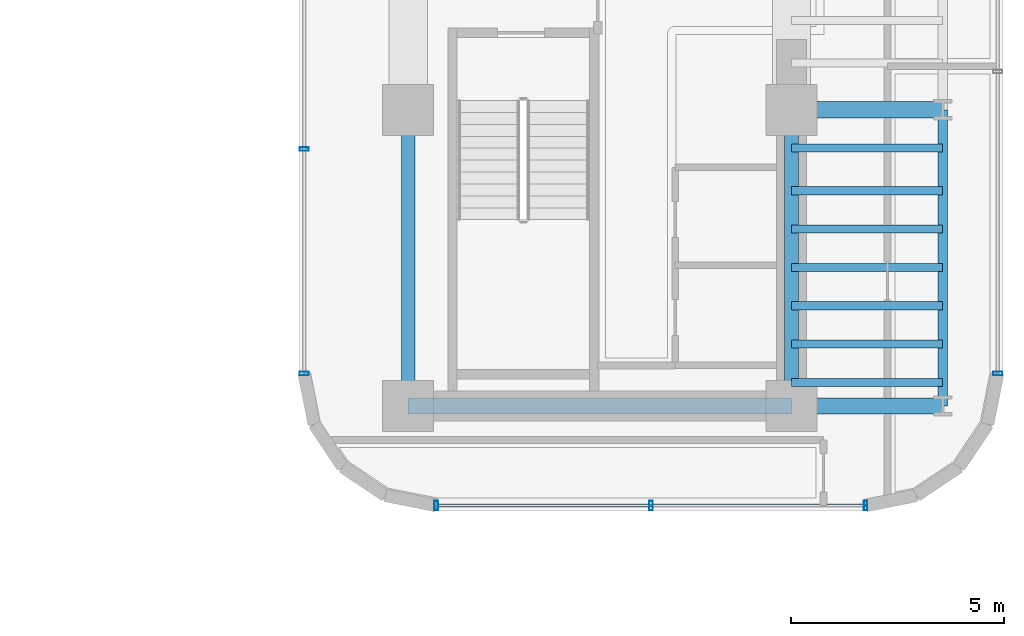
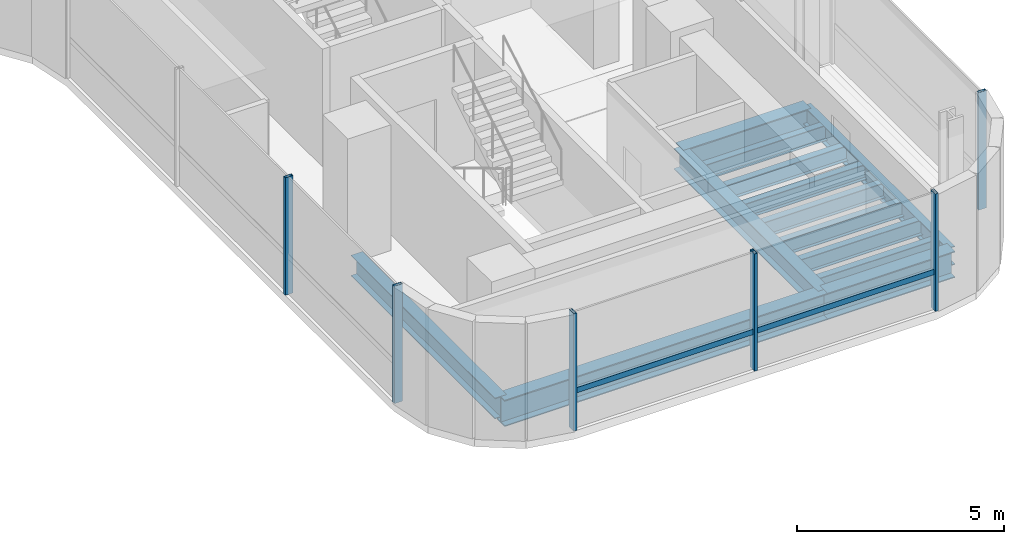
# One storey, part 11 of 34: 13 beams, 7 members, 3 elements without a shape of their own.
"""IFC4 building model written with IfcOpenShell, lengths in metres."""

from ifc_helpers import new_model, si_unit, direction, frame, origin, origin_2d, place, context, subcontext, project, spatial, hollow_rectangle, i_section, extrude, source, transform, mapped, material, material_profile, profile_set, type_object, element, aggregate, save


model = new_model("IFC4")

# Units and contexts
model_context = context("Model", 3, precision=1e-05, world=origin(), true_north=direction((0.0, 1.0)))
body_context = subcontext(model_context, "Body", "Model", "MODEL_VIEW")
ifc_project = project(units=[si_unit("LENGTHUNIT", "METRE"), si_unit("AREAUNIT", "SQUARE_METRE"), si_unit("VOLUMEUNIT", "CUBIC_METRE"), si_unit("PLANEANGLEUNIT", "RADIAN"), si_unit("MASSUNIT", "GRAM", prefix="KILO")], contexts=[model_context])

# Site, building, storey
site_placement = place(None, origin())
site = spatial("IfcSite", under=ifc_project, at=site_placement, CompositionType="ELEMENT")
building_placement = place(site_placement, origin())
building = spatial("IfcBuilding", under=site, at=building_placement, Name="Valdorenza Pilgrim Sanctuary Tower", CompositionType="ELEMENT")
storey_placement = place(building_placement, frame((0.0, 0.0, 146.39990234375)))
storey = spatial("IfcBuildingStorey", under=building, at=storey_placement, Name="L37", CompositionType="ELEMENT", Elevation=146.39990234375)

# Beams
ifc_material_1 = material(Name="Steel ASTM A992 Grade 50", Category="steel")
ifc_material_profile_1 = material_profile(ifc_material_1, i_section(OverallWidth=0.323974609375, OverallDepth=0.611083984375, WebThickness=0.0126953125, FlangeThickness=0.01904296875, at=origin_2d()), Name="W24X104")
ifc_profile_set_1 = profile_set([ifc_material_profile_1], Name="Steel ASTM A992 Grade 50")
beam_type_1 = type_object("IfcBeamType", Name="STR-BM-GRD-W24B", PredefinedType="BEAM", material=ifc_profile_set_1)
shared_shape_1 = source(origin(), body_context, "Body", "SweptSolid", [
    extrude(i_section(OverallWidth=0.323974609375, OverallDepth=0.611083984375, WebThickness=0.0126953125, FlangeThickness=0.01904296875, at=origin_2d()), origin(), (0.0, 0.0, 1.0), 6.949951171875),
])
for number, where, z_axis, x_axis, name in (
    (1, (15.85009765625, -9.550048828125, -0.54541015625), (0.0, 1.0, 0.0), (-1.0, 0.0, 0.0), "L37 Core Tie Girder CB-W-S1M0"),
    (2, (24.85009765625, -9.550048828125, -0.54541015625), (0.0, 1.0, 0.0), (-1.0, 0.0, 0.0), "L37 Core Tie Girder CB-E-S1M0"),
):
    element("IfcBeam", number, at=place(storey_placement, frame(where, z_axis=z_axis, x_axis=x_axis)), inside=storey, type_object=beam_type_1, Name=name, PredefinedType="BEAM", context=body_context, shape_type="MappedRepresentation", body=[
        mapped(shared_shape_1, transform((0.0, 0.0, 0.0), x_axis=(1.0, 0.0, 0.0), y_axis=(0.0, 1.0, 0.0), z_axis=(0.0, 0.0, 1.0), scale=1.0)),
    ])
ifc_material_profile_2 = material_profile(ifc_material_1, i_section(OverallWidth=0.214111328125, OverallDepth=0.549072265625, WebThickness=0.0146484375, FlangeThickness=0.023681640625, at=origin_2d()), Name="W21X93")
ifc_profile_set_2 = profile_set([ifc_material_profile_2], Name="Steel ASTM A992 Grade 50")
beam_type_2 = type_object("IfcBeamType", Name="STR-BM-SPN-W21A", PredefinedType="SPANDREL", material=ifc_profile_set_2)
shared_shape_2 = source(origin(), body_context, "Body", "SweptSolid", [
    extrude(i_section(OverallWidth=0.214111328125, OverallDepth=0.549072265625, WebThickness=0.0146484375, FlangeThickness=0.023681640625, at=origin_2d()), origin(), (0.0, 0.0, 1.0), 6.949951171875),
])
beam_1_placement = place(storey_placement, frame((28.39990234375, -9.550048828125, -0.514404296875), z_axis=(0.0, 1.0, 0.0), x_axis=(-1.0, 0.0, 0.0)))
element("IfcBeam", 3, at=beam_1_placement, inside=storey, type_object=beam_type_2, Name="L37 Spandrel Beam WB-E-S1M0", PredefinedType="SPANDREL", context=body_context, shape_type="MappedRepresentation", body=[
    mapped(shared_shape_2, transform((0.0, 0.0, 0.0), x_axis=(1.0, 0.0, 0.0), y_axis=(0.0, 1.0, 0.0), z_axis=(0.0, 0.0, 1.0), scale=1.0)),
])
ifc_material_profile_3 = material_profile(ifc_material_1, i_section(OverallWidth=0.382080078125, OverallDepth=0.779052734375, WebThickness=0.01806640625, FlangeThickness=0.030029296875, at=origin_2d()), Name="W30X191")
ifc_profile_set_3 = profile_set([ifc_material_profile_3], Name="Steel ASTM A992 Grade 50")
beam_type_3 = type_object("IfcBeamType", Name="STR-BM-GRD-W30", PredefinedType="BEAM", material=ifc_profile_set_3)
shared_shape_3 = source(origin(), body_context, "Body", "SweptSolid", [
    extrude(i_section(OverallWidth=0.382080078125, OverallDepth=0.779052734375, WebThickness=0.01806640625, FlangeThickness=0.030029296875, at=origin_2d()), origin(), (0.0, 0.0, 1.0), 9.0),
])
beam_2_placement = place(storey_placement, frame((15.85009765625, -9.550048828125, -0.62939453125), z_axis=(1.0, 0.0, 0.0), x_axis=(0.0, 1.0, 0.0)))
element("IfcBeam", 4, at=beam_2_placement, inside=storey, type_object=beam_type_3, Name="L37 Floor Girder CB-XC-S1", PredefinedType="BEAM", context=body_context, shape_type="MappedRepresentation", body=[
    mapped(shared_shape_3, transform((0.0, 0.0, 0.0), x_axis=(1.0, 0.0, 0.0), y_axis=(0.0, 1.0, 0.0), z_axis=(0.0, 0.0, 1.0), scale=1.0)),
])
shared_shape_4 = source(origin(), body_context, "Body", "SweptSolid", [
    extrude(i_section(OverallWidth=0.382080078125, OverallDepth=0.779052734375, WebThickness=0.01806640625, FlangeThickness=0.030029296875, at=origin_2d()), origin(), (0.0, 0.0, 1.0), 3.5498046875),
])
for number, where, z_axis, x_axis, name in (
    (5, (24.85009765625, -9.550048828125, -0.62939453125), (1.0, 0.0, 0.0), (0.0, 1.0, 0.0), "L37 Floor Girder WB-XE-S1"),
    (6, (24.85009765625, -2.60009765625, -0.62939453125), (1.0, 0.0, 0.0), (0.0, 1.0, 0.0), "L37 Floor Girder WB-XE-M0"),
):
    element("IfcBeam", number, at=place(storey_placement, frame(where, z_axis=z_axis, x_axis=x_axis)), inside=storey, type_object=beam_type_3, Name=name, PredefinedType="BEAM", context=body_context, shape_type="MappedRepresentation", body=[
        mapped(shared_shape_4, transform((0.0, 0.0, 0.0), x_axis=(1.0, 0.0, 0.0), y_axis=(0.0, 1.0, 0.0), z_axis=(0.0, 0.0, 1.0), scale=1.0)),
    ])
ifc_material_profile_4 = material_profile(ifc_material_1, i_section(OverallWidth=0.19091796875, OverallDepth=0.45703125, WebThickness=0.009033203125, FlangeThickness=0.014404296875, at=origin_2d()), Name="W18X50")
ifc_profile_set_4 = profile_set([ifc_material_profile_4], Name="Steel ASTM A992 Grade 50")
beam_type_4 = type_object("IfcBeamType", Name="STR-BM-JST-W18B", PredefinedType="JOIST", material=ifc_profile_set_4)
shared_shape_5 = source(origin(), body_context, "Body", "SweptSolid", [
    extrude(i_section(OverallWidth=0.19091796875, OverallDepth=0.45703125, WebThickness=0.009033203125, FlangeThickness=0.014404296875, at=origin_2d()), origin(), (0.0, 0.0, 1.0), 3.5498046875),
])
for number, where, z_axis, x_axis, name in (
    (7, (24.85009765625, -9.0, -0.468505859375), (1.0, 0.0, 0.0), (0.0, 1.0, 0.0), "L37 Composite Floor Joist JST-WB-1"),
    (8, (24.85009765625, -8.10009765625, -0.468505859375), (1.0, 0.0, 0.0), (0.0, 1.0, 0.0), "L37 Composite Floor Joist JST-WB-2"),
    (9, (24.85009765625, -7.199951171875, -0.468505859375), (1.0, 0.0, 0.0), (0.0, 1.0, 0.0), "L37 Composite Floor Joist JST-WB-3"),
    (10, (24.85009765625, -6.300048828125, -0.468505859375), (1.0, 0.0, 0.0), (0.0, 1.0, 0.0), "L37 Composite Floor Joist JST-WB-4"),
    (11, (24.85009765625, -5.39990234375, -0.468505859375), (1.0, 0.0, 0.0), (0.0, 1.0, 0.0), "L37 Composite Floor Joist JST-WB-5"),
    (12, (24.85009765625, -4.5, -0.468505859375), (1.0, 0.0, 0.0), (0.0, 1.0, 0.0), "L37 Composite Floor Joist JST-WB-6"),
    (13, (24.85009765625, -3.5, -0.468505859375), (1.0, 0.0, 0.0), (0.0, 1.0, 0.0), "L37 Composite Floor Joist JST-WB-7"),
):
    element("IfcBeam", number, at=place(storey_placement, frame(where, z_axis=z_axis, x_axis=x_axis)), inside=storey, type_object=beam_type_4, Name=name, PredefinedType="JOIST", context=body_context, shape_type="MappedRepresentation", body=[
        mapped(shared_shape_5, transform((0.0, 0.0, 0.0), x_axis=(1.0, 0.0, 0.0), y_axis=(0.0, 1.0, 0.0), z_axis=(0.0, 0.0, 1.0), scale=1.0)),
    ])

# Curtain wall, member
ifc_material_2 = material(Name="Curtain-wall IGU glazing", Category="glass")
curtain_wall_type = type_object("IfcCurtainWallType", Name="CW-SYS-03", PredefinedType="NOTDEFINED", material=ifc_material_2)
curtain_wall_1_placement = place(storey_placement, origin())
curtain_wall_1 = element("IfcCurtainWall", 14, at=curtain_wall_1_placement, inside=storey, type_object=curtain_wall_type, Name="L37 Curtain Wall CW-L37-1-21", PredefinedType="NOTDEFINED")
ifc_material_3 = material(Name="Anodised aluminium AW-6060", Category="aluminium")
ifc_material_profile_5 = material_profile(ifc_material_3, hollow_rectangle(XDim=0.0849609375, YDim=0.219970703125, WallThickness=0.0048828125, at=origin_2d()), Name="ALU-M 220x85x5")
ifc_profile_set_5 = profile_set([ifc_material_profile_5], Name="Anodised aluminium AW-6060")
member_type_1 = type_object("IfcMemberType", Name="CW-MUL-03", PredefinedType="MULLION", material=ifc_profile_set_5)
shared_shape_6 = source(origin(), body_context, "Body", "SweptSolid", [
    extrude(hollow_rectangle(XDim=0.0849609375, YDim=0.219970703125, WallThickness=0.0048828125, at=origin_2d()), origin(), (0.0, 0.0, 1.0), 3.460205078125),
])
member_1_placement = place(storey_placement, frame((29.68994140625, -8.789306640625, 0.0), z_axis=(0.0, 0.0, 1.0), x_axis=(0.0, -1.0, 0.0)))
member_1 = element("IfcMember", 15, at=member_1_placement, type_object=member_type_1, Name="CW-L37-1-21 Mullion 4", PredefinedType="MULLION", context=body_context, shape_type="MappedRepresentation", body=[
    mapped(shared_shape_6, transform((0.0, 0.0, 0.0), x_axis=(1.0, 0.0, 0.0), y_axis=(0.0, 1.0, 0.0), z_axis=(0.0, 0.0, 1.0), scale=1.0)),
])
aggregate(curtain_wall_1, [member_1])

# Curtain wall, members
curtain_wall_2_placement = place(storey_placement, origin())
curtain_wall_2 = element("IfcCurtainWall", 16, at=curtain_wall_2_placement, inside=storey, type_object=curtain_wall_type, Name="L37 Curtain Wall CW-L37-1-26", PredefinedType="NOTDEFINED")
member_2_placement = place(storey_placement, frame((26.589111328125, -11.889892578125, 0.0), z_axis=(0.0, 0.0, 1.0), x_axis=(-1.0, 0.0, 0.0)))
member_2 = element("IfcMember", 17, at=member_2_placement, type_object=member_type_1, Name="CW-L37-1-26 Mullion 1", PredefinedType="MULLION", context=body_context, shape_type="MappedRepresentation", body=[
    mapped(shared_shape_6, transform((0.0, 0.0, 0.0), x_axis=(1.0, 0.0, 0.0), y_axis=(0.0, 1.0, 0.0), z_axis=(0.0, 0.0, 1.0), scale=1.0)),
])
member_3_placement = place(storey_placement, frame((21.550048828125, -11.889892578125, 0.0), z_axis=(0.0, 0.0, 1.0), x_axis=(-1.0, 0.0, 0.0)))
member_3 = element("IfcMember", 18, at=member_3_placement, type_object=member_type_1, Name="CW-L37-1-26 Mullion 2", PredefinedType="MULLION", context=body_context, shape_type="MappedRepresentation", body=[
    mapped(shared_shape_6, transform((0.0, 0.0, 0.0), x_axis=(1.0, 0.0, 0.0), y_axis=(0.0, 1.0, 0.0), z_axis=(0.0, 0.0, 1.0), scale=1.0)),
])
member_4_placement = place(storey_placement, frame((16.5107421875, -11.889892578125, 0.0), z_axis=(0.0, 0.0, 1.0), x_axis=(-1.0, 0.0, 0.0)))
member_4 = element("IfcMember", 19, at=member_4_placement, type_object=member_type_1, Name="CW-L37-1-26 Mullion 3", PredefinedType="MULLION", context=body_context, shape_type="MappedRepresentation", body=[
    mapped(shared_shape_6, transform((0.0, 0.0, 0.0), x_axis=(1.0, 0.0, 0.0), y_axis=(0.0, 1.0, 0.0), z_axis=(0.0, 0.0, 1.0), scale=1.0)),
])

curtain_wall_3_placement = place(storey_placement, origin())
curtain_wall_3 = element("IfcCurtainWall", 20, at=curtain_wall_3_placement, inside=storey, type_object=curtain_wall_type, Name="L37 Curtain Wall CW-L37-1-31", PredefinedType="NOTDEFINED")
member_5_placement = place(storey_placement, frame((13.409912109375, -8.789306640625, 0.0), z_axis=(0.0, 0.0, 1.0), x_axis=(0.0, 1.0, 0.0)))
member_5 = element("IfcMember", 21, at=member_5_placement, type_object=member_type_1, Name="CW-L37-1-31 Mullion 1", PredefinedType="MULLION", context=body_context, shape_type="MappedRepresentation", body=[
    mapped(shared_shape_6, transform((0.0, 0.0, 0.0), x_axis=(1.0, 0.0, 0.0), y_axis=(0.0, 1.0, 0.0), z_axis=(0.0, 0.0, 1.0), scale=1.0)),
])
member_6_placement = place(storey_placement, frame((13.409912109375, -3.5224609375, 0.0), z_axis=(0.0, 0.0, 1.0), x_axis=(0.0, 1.0, 0.0)))
member_6 = element("IfcMember", 22, at=member_6_placement, type_object=member_type_1, Name="CW-L37-1-31 Mullion 2", PredefinedType="MULLION", context=body_context, shape_type="MappedRepresentation", body=[
    mapped(shared_shape_6, transform((0.0, 0.0, 0.0), x_axis=(1.0, 0.0, 0.0), y_axis=(0.0, 1.0, 0.0), z_axis=(0.0, 0.0, 1.0), scale=1.0)),
])
aggregate(curtain_wall_3, [member_5, member_6])

# Member
ifc_material_profile_6 = material_profile(ifc_material_3, hollow_rectangle(XDim=0.074951171875, YDim=0.159912109375, WallThickness=0.00390625, at=origin_2d()), Name="ALU-T 160x75x4")
ifc_profile_set_6 = profile_set([ifc_material_profile_6], Name="Anodised aluminium AW-6060")
member_type_2 = type_object("IfcMemberType", Name="CW-TRN-03", PredefinedType="USERDEFINED", material=ifc_profile_set_6)
shared_shape_7 = source(origin(), body_context, "Body", "SweptSolid", [
    extrude(hollow_rectangle(XDim=0.074951171875, YDim=0.159912109375, WallThickness=0.00390625, at=origin_2d()), origin(), (0.0, 0.0, 1.0), 10.078369140625),
])
member_7_placement = place(storey_placement, frame((26.589111328125, -11.889892578125, 1.1201171875), z_axis=(-1.0, 0.0, 0.0), x_axis=(0.0, -1.0, 0.0)))
member_7 = element("IfcMember", 23, at=member_7_placement, type_object=member_type_2, Name="CW-L37-1-26 Transom 1", ObjectType="TRANSOM", PredefinedType="USERDEFINED", context=body_context, shape_type="MappedRepresentation", body=[
    mapped(shared_shape_7, transform((0.0, 0.0, 0.0), x_axis=(1.0, 0.0, 0.0), y_axis=(0.0, 1.0, 0.0), z_axis=(0.0, 0.0, 1.0), scale=1.0)),
])

aggregate(curtain_wall_2, [member_2, member_3, member_4, member_7])

save(model, "model.ifc")
